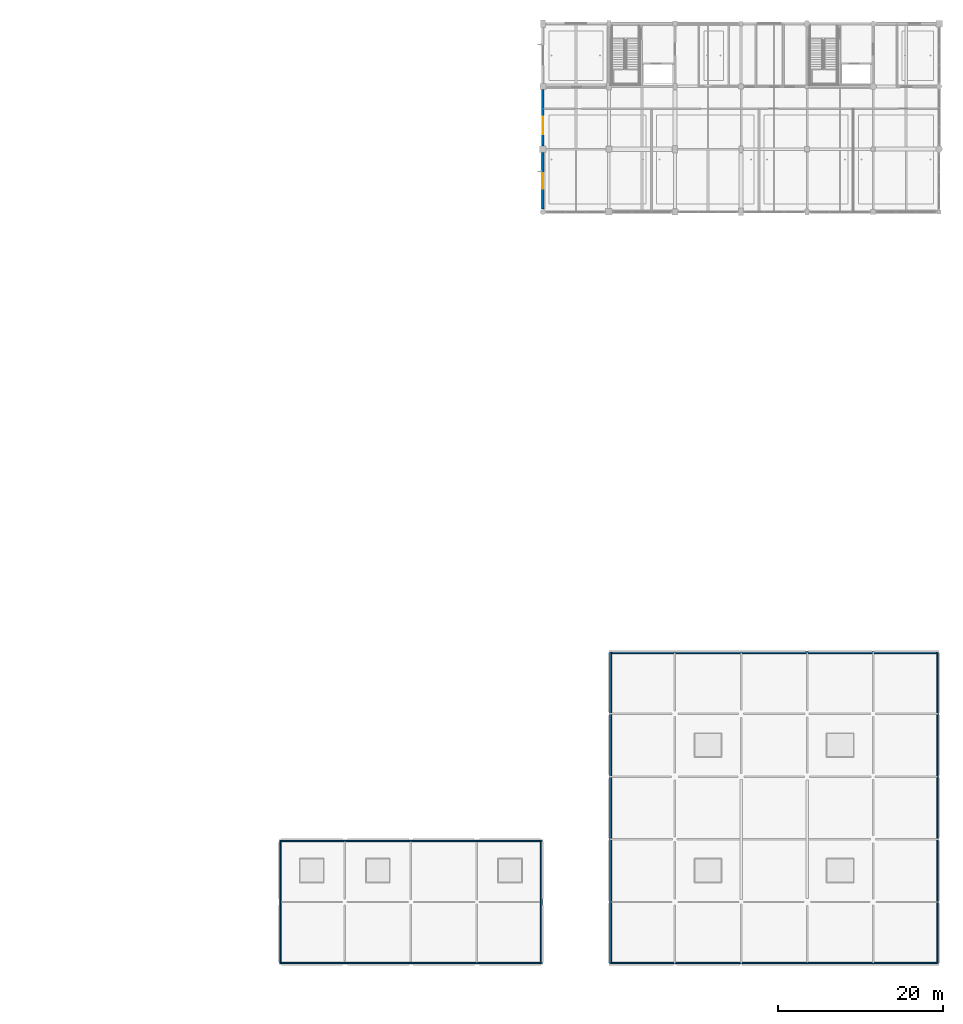
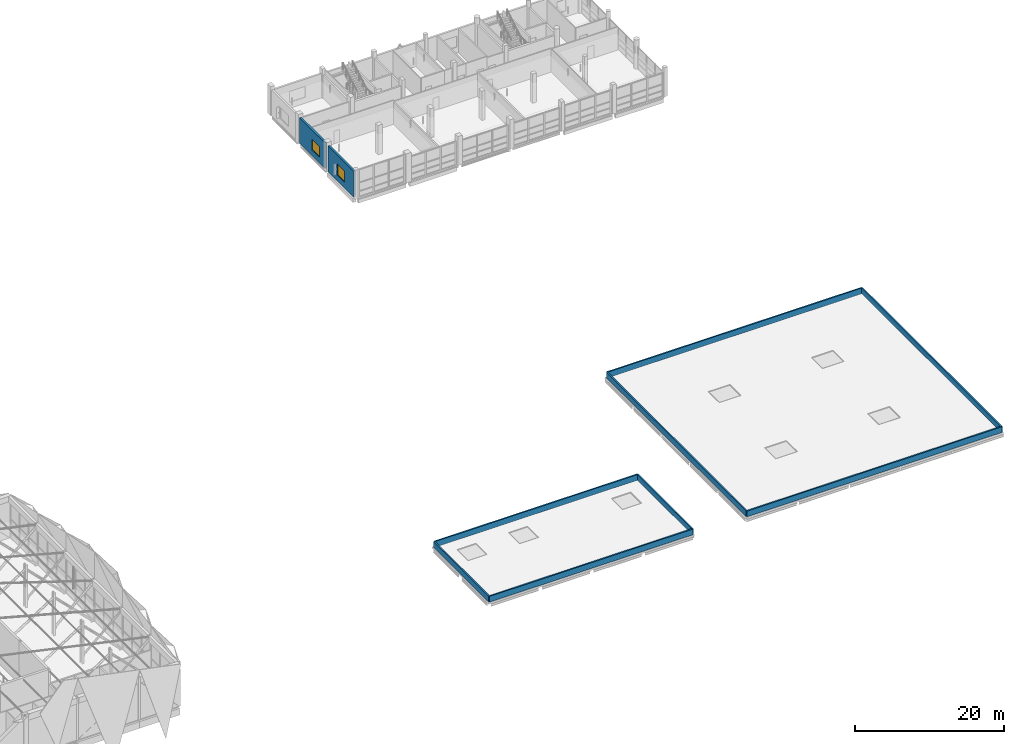
# One storey, part 34 of 46: 10 walls, 2 windows, 2 openings.
"""IFC4 building model written with IfcOpenShell, lengths in metres."""

from ifc_helpers import new_model, si_unit, direction, frame, frame_2d, origin, place, context, subcontext, project, spatial, rectangle, extrude, material, layer, layer_set, type_object, element, fill, save


model = new_model("IFC4")

# Units and contexts
model_context = context("Model", 3, precision=1e-05, world=origin(), true_north=direction((0.0, 1.0)))
body_context = subcontext(model_context, "Body", "Model", "MODEL_VIEW")
ifc_project = project(units=[si_unit("LENGTHUNIT", "METRE"), si_unit("AREAUNIT", "SQUARE_METRE"), si_unit("VOLUMEUNIT", "CUBIC_METRE"), si_unit("PLANEANGLEUNIT", "RADIAN"), si_unit("MASSUNIT", "GRAM", prefix="KILO")], contexts=[model_context])

# Site, building, storey
site_placement = place(None, origin())
site = spatial("IfcSite", under=ifc_project, at=site_placement, CompositionType="ELEMENT")
building_placement = place(site_placement, origin())
building = spatial("IfcBuilding", under=site, at=building_placement, Name="Khelvaren Railside Concert Hall", CompositionType="ELEMENT")
storey_placement = place(building_placement, frame((0.0, 0.0, 19.800048828125)))
storey = spatial("IfcBuildingStorey", under=building, at=storey_placement, Name="L04", CompositionType="ELEMENT", Elevation=19.800048828125)

# Wall, opening, window
ifc_material_1 = material(Name="Board-marked architectural concrete C40/50", Category="concrete")
ifc_layer_1 = layer(ifc_material_1, 0.300048828125)
ifc_layer_set_1 = layer_set([ifc_layer_1], Name="Board-marked architectural concrete C40/50")
wall_type_1 = type_object("IfcWallType", Name="EW54", PredefinedType="SOLIDWALL", material=ifc_layer_set_1)
wall_1_placement = place(storey_placement, frame((136.0, 91.52490234375, 0.0), z_axis=(0.0, 0.0, 1.0), x_axis=(0.0, 1.0, 0.0)))
wall_1 = element("IfcWall", 1, at=wall_1_placement, inside=storey, type_object=wall_type_1, Name="V5 L04 Exterior Concrete Wall W-91", PredefinedType="SOLIDWALL", context=body_context, shape_type="SweptSolid", body=[
    extrude(rectangle(XDim=6.875, YDim=0.300048828125, at=frame_2d((3.4375, 0.0))), origin(), (0.0, 0.0, 1.0), 4.22998046875),
])
opening_1_placement = place(wall_1_placement, frame((2.487548828125, 0.0, 0.949951171875)))
opening_1 = element("IfcOpeningElement", 2, at=opening_1_placement, cuts=wall_1, Name="Opening WN87", PredefinedType="OPENING", context=body_context, shape_type="SweptSolid", body=[
    extrude(rectangle(XDim=1.89990234375, YDim=1.800048828125, at=frame_2d((0.949951171875, 0.89990234375))), frame((0.0, 0.159912109375, 0.0), z_axis=(0.0, -1.0, 0.0), x_axis=(1.0, 0.0, 0.0)), (0.0, 0.0, 1.0), 0.320068359375),
])
ifc_material_2 = material(Name="Triple-glazed acoustic aluminium window", Category="aluminium")
window_type_1 = type_object("IfcWindowType", Name="WN87", PartitioningType="DOUBLE_PANEL_VERTICAL", PredefinedType="WINDOW", material=ifc_material_2)
window_1_placement = place(opening_1_placement, origin())
window_1 = element("IfcWindow", 3, at=window_1_placement, inside=storey, type_object=window_type_1, Name="Acoustic Facade Window EW-V5-L04-W-91", OverallHeight=1.800048828125, OverallWidth=1.89990234375, PartitioningType="DOUBLE_PANEL_VERTICAL", PredefinedType="WINDOW", context=body_context, shape_type="SweptSolid", body=[
    extrude(rectangle(XDim=1.89990234375, YDim=1.800048828125, at=frame_2d((0.949951171875, 0.89990234375))), frame((0.0, 0.030029296875, 0.0), z_axis=(0.0, -1.0, 0.0), x_axis=(1.0, 0.0, 0.0)), (0.0, 0.0, 1.0), 0.06005859375),
])
fill(opening_1, window_1)

wall_2_placement = place(storey_placement, frame((136.0, 99.199951171875, 0.0), z_axis=(0.0, 0.0, 1.0), x_axis=(0.0, 1.0, 0.0)))
wall_2 = element("IfcWall", 4, at=wall_2_placement, inside=storey, type_object=wall_type_1, Name="V5 L04 Exterior Concrete Wall W-99", PredefinedType="SOLIDWALL", context=body_context, shape_type="SweptSolid", body=[
    extrude(rectangle(XDim=6.85009765625, YDim=0.300048828125, at=frame_2d((3.425048828125, 0.0))), origin(), (0.0, 0.0, 1.0), 4.22998046875),
])
opening_2_placement = place(wall_2_placement, frame((1.425048828125, 0.0, 0.949951171875)))
opening_2 = element("IfcOpeningElement", 5, at=opening_2_placement, cuts=wall_2, Name="Opening WN14", PredefinedType="OPENING", context=body_context, shape_type="SweptSolid", body=[
    extrude(rectangle(XDim=2.10009765625, YDim=1.800048828125, at=frame_2d((1.050048828125, 0.89990234375))), frame((0.0, 0.159912109375, 0.0), z_axis=(0.0, -1.0, 0.0), x_axis=(1.0, 0.0, 0.0)), (0.0, 0.0, 1.0), 0.320068359375),
])
window_type_2 = type_object("IfcWindowType", Name="WN14", PartitioningType="DOUBLE_PANEL_VERTICAL", PredefinedType="WINDOW", material=ifc_material_2)
window_2_placement = place(opening_2_placement, origin())
window_2 = element("IfcWindow", 6, at=window_2_placement, inside=storey, type_object=window_type_2, Name="Acoustic Facade Window EW-V5-L04-W-99", OverallHeight=1.800048828125, OverallWidth=2.10009765625, PartitioningType="DOUBLE_PANEL_VERTICAL", PredefinedType="WINDOW", context=body_context, shape_type="SweptSolid", body=[
    extrude(rectangle(XDim=2.10009765625, YDim=1.800048828125, at=frame_2d((1.050048828125, 0.89990234375))), frame((0.0, 0.030029296875, 0.0), z_axis=(0.0, -1.0, 0.0), x_axis=(1.0, 0.0, 0.0)), (0.0, 0.0, 1.0), 0.06005859375),
])
fill(opening_2, window_2)

# Walls
ifc_material_3 = material(Name="Precast architectural concrete C40/50", Category="concrete")
ifc_layer_2 = layer(ifc_material_3, 0.219970703125)
ifc_layer_set_2 = layer_set([ifc_layer_2], Name="Precast architectural concrete C40/50")
wall_type_2 = type_object("IfcWallType", Name="PRP69", PredefinedType="PARAPET", material=ifc_layer_set_2)
for number, where, z_axis, x_axis, name in (
    (7, (144.199951171875, 0.199951171875, 0.0), (0.0, 0.0, 1.0), (1.0, 0.0, 0.0), "Roof Parapet Wall V2-L04-S"),
    (8, (183.800048828125, 37.800048828125, 0.0), (0.0, 0.0, 1.0), (-1.0, 0.0, 0.0), "Roof Parapet Wall V2-L04-N"),
):
    element("IfcWall", number, at=place(storey_placement, frame(where, z_axis=z_axis, x_axis=x_axis)), inside=storey, type_object=wall_type_2, Name=name, PredefinedType="PARAPET", context=body_context, shape_type="SweptSolid", body=[
        extrude(rectangle(XDim=39.60009765625, YDim=0.219970703125, at=frame_2d((19.800048828125, 0.0))), origin(), (0.0, 0.0, 1.0), 0.949951171875),
    ])
for number, where, z_axis, x_axis, name in (
    (9, (144.199951171875, 37.800048828125, 0.0), (0.0, 0.0, 1.0), (0.0, -1.0, 0.0), "Roof Parapet Wall V2-L04-W"),
    (10, (183.800048828125, 0.199951171875, 0.0), (0.0, 0.0, 1.0), (0.0, 1.0, 0.0), "Roof Parapet Wall V2-L04-E"),
):
    element("IfcWall", number, at=place(storey_placement, frame(where, z_axis=z_axis, x_axis=x_axis)), inside=storey, type_object=wall_type_2, Name=name, PredefinedType="PARAPET", context=body_context, shape_type="SweptSolid", body=[
        extrude(rectangle(XDim=37.60009765625, YDim=0.219970703125, at=frame_2d((18.800048828125, 0.0))), origin(), (0.0, 0.0, 1.0), 0.949951171875),
    ])
for number, where, z_axis, x_axis, name in (
    (11, (104.199951171875, 0.199951171875, 0.0), (0.0, 0.0, 1.0), (1.0, 0.0, 0.0), "Roof Parapet Wall V3-E-L04-S"),
    (12, (135.800048828125, 15.0, 0.0), (0.0, 0.0, 1.0), (-1.0, 0.0, 0.0), "Roof Parapet Wall V3-E-L04-N"),
):
    element("IfcWall", number, at=place(storey_placement, frame(where, z_axis=z_axis, x_axis=x_axis)), inside=storey, type_object=wall_type_2, Name=name, PredefinedType="PARAPET", context=body_context, shape_type="SweptSolid", body=[
        extrude(rectangle(XDim=31.60009765625, YDim=0.219970703125, at=frame_2d((15.800048828125, 0.0))), origin(), (0.0, 0.0, 1.0), 0.949951171875),
    ])
for number, where, z_axis, x_axis, name in (
    (13, (104.199951171875, 15.0, 0.0), (0.0, 0.0, 1.0), (0.0, -1.0, 0.0), "Roof Parapet Wall V3-E-L04-W"),
    (14, (135.800048828125, 0.199951171875, 0.0), (0.0, 0.0, 1.0), (0.0, 1.0, 0.0), "Roof Parapet Wall V3-E-L04-E"),
):
    element("IfcWall", number, at=place(storey_placement, frame(where, z_axis=z_axis, x_axis=x_axis)), inside=storey, type_object=wall_type_2, Name=name, PredefinedType="PARAPET", context=body_context, shape_type="SweptSolid", body=[
        extrude(rectangle(XDim=14.800048828125, YDim=0.219970703125, at=frame_2d((7.39990234375, 0.0))), origin(), (0.0, 0.0, 1.0), 0.949951171875),
    ])

save(model, "model.ifc")
